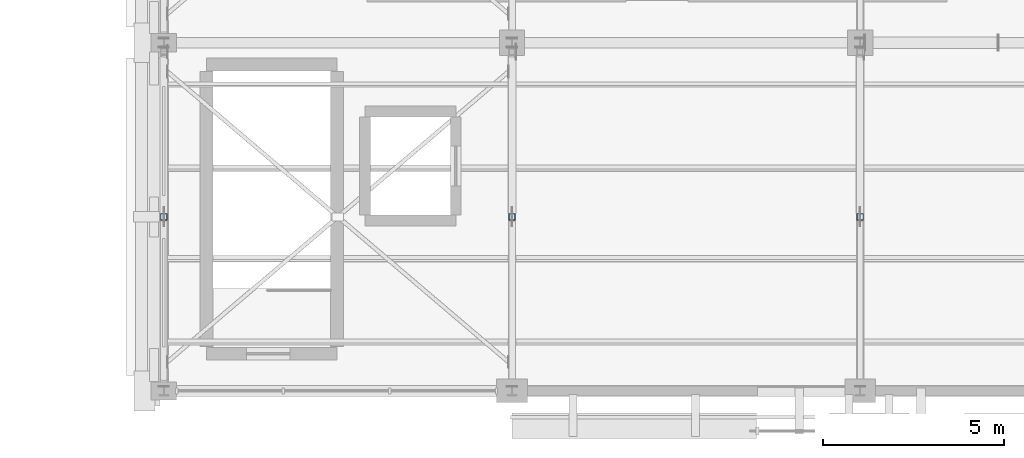
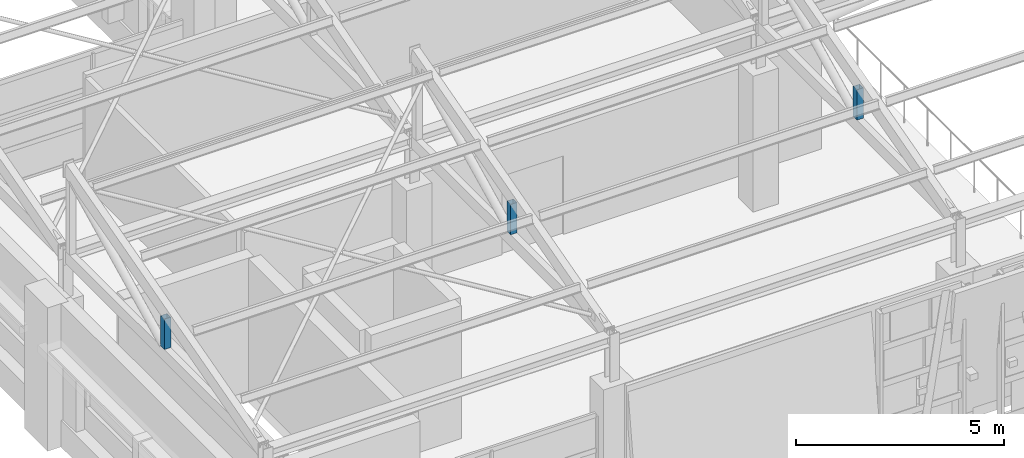
# One storey, part 29 of 58: 3 members.
"""IFC4 building model written with IfcOpenShell, lengths in metres."""

from ifc_helpers import new_model, si_unit, direction, frame, origin, origin_2d, place, context, subcontext, project, spatial, hollow_rectangle, extrude, material, material_profile, profile_set, type_object, element, save


model = new_model("IFC4")

# Units and contexts
model_context = context("Model", 3, precision=1e-05, world=origin(), true_north=direction((0.0, 1.0)))
body_context = subcontext(model_context, "Body", "Model", "MODEL_VIEW")
ifc_project = project(units=[si_unit("LENGTHUNIT", "METRE"), si_unit("AREAUNIT", "SQUARE_METRE"), si_unit("VOLUMEUNIT", "CUBIC_METRE"), si_unit("PLANEANGLEUNIT", "RADIAN"), si_unit("MASSUNIT", "GRAM", prefix="KILO")], contexts=[model_context])

# Site, building, storey
site_placement = place(None, origin())
site = spatial("IfcSite", under=ifc_project, at=site_placement, CompositionType="ELEMENT")
building_placement = place(site_placement, origin())
building = spatial("IfcBuilding", under=site, at=building_placement, Name="Bempovik Park Faculty of Sciences", CompositionType="ELEMENT")
storey_placement = place(building_placement, frame((0.0, 0.0, 18.300048828125)))
storey = spatial("IfcBuildingStorey", under=building, at=storey_placement, Name="L04", CompositionType="ELEMENT", Elevation=18.300048828125)

# Members
ifc_material = material(Name="Steel S355", Category="steel")
ifc_material_profile = material_profile(ifc_material, hollow_rectangle(XDim=0.179931640625, YDim=0.179931640625, WallThickness=0.008056640625, at=origin_2d()), Name="SHS 180x180x8")
ifc_profile_set = profile_set([ifc_material_profile], Name="Steel S355")
member_type = type_object("IfcMemberType", Name="M-40 SHS 180x180x8", PredefinedType="POST", material=ifc_profile_set)
for number, where, z_axis, x_axis, name in (
    (1, (50.39990234375, 72.60009765625, 5.36083984375), (0.0, 0.0, 1.0), (1.0, 0.0, 0.0), "Sawtooth Mid Post V2-B1 (50.4)"),
    (2, (60.0, 72.60009765625, 5.36083984375), (0.0, 0.0, 1.0), (1.0, 0.0, 0.0), "Sawtooth Mid Post V2-B1 (60.0)"),
    (3, (69.60009765625, 72.60009765625, 5.36083984375), (0.0, 0.0, 1.0), (1.0, 0.0, 0.0), "Sawtooth Mid Post V2-B1 (69.6)"),
):
    element("IfcMember", number, at=place(storey_placement, frame(where, z_axis=z_axis, x_axis=x_axis)), inside=storey, type_object=member_type, Name=name, PredefinedType="POST", context=body_context, shape_type="SweptSolid", body=[
        extrude(hollow_rectangle(XDim=0.179931640625, YDim=0.179931640625, WallThickness=0.008056640625, at=origin_2d()), origin(), (0.0, 0.0, 1.0), 0.8876953125),
    ])

save(model, "model.ifc")
